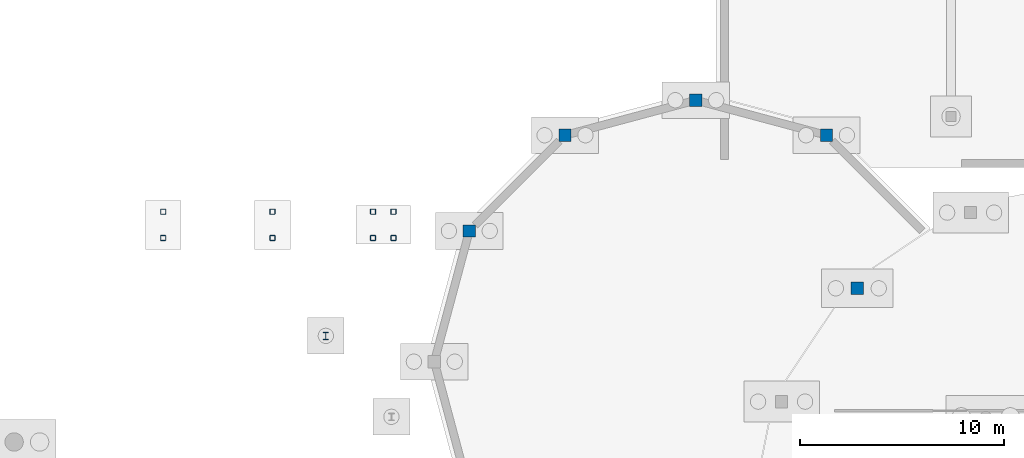
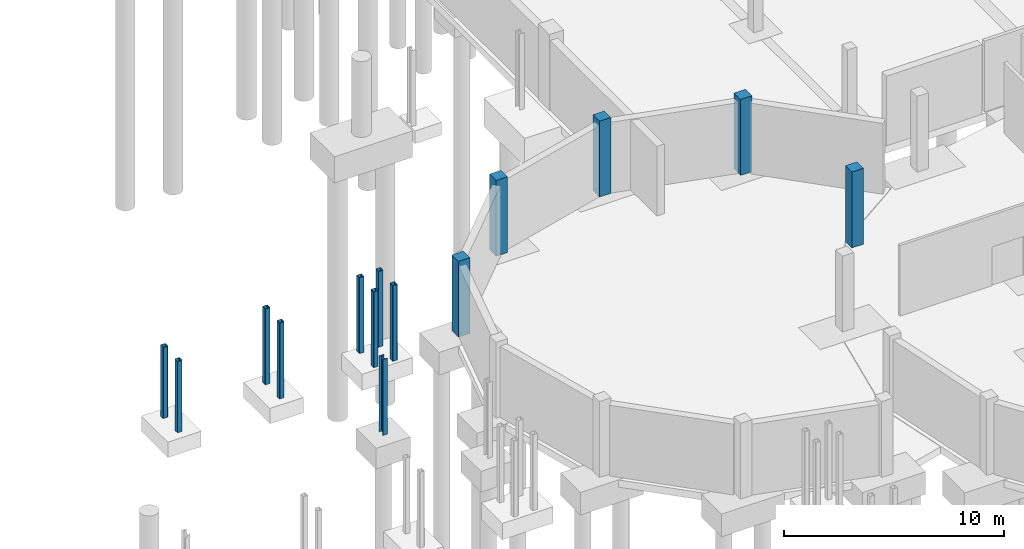
# One storey, part 14 of 43: 14 columns.
"""IFC4 building model written with IfcOpenShell, lengths in metres."""

from ifc_helpers import new_model, si_unit, direction, frame, origin, origin_2d, place, context, subcontext, project, spatial, rectangle, hollow_rectangle, i_section, extrude, material, material_profile, profile_set, type_object, element, save


model = new_model("IFC4")

# Units and contexts
model_context = context("Model", 3, precision=1e-05, world=origin(), true_north=direction((0.0, 1.0)))
body_context = subcontext(model_context, "Body", "Model", "MODEL_VIEW")
ifc_project = project(units=[si_unit("LENGTHUNIT", "METRE"), si_unit("AREAUNIT", "SQUARE_METRE"), si_unit("VOLUMEUNIT", "CUBIC_METRE"), si_unit("PLANEANGLEUNIT", "RADIAN"), si_unit("MASSUNIT", "GRAM", prefix="KILO")], contexts=[model_context])

# Site, building, storey
site_placement = place(None, origin())
site = spatial("IfcSite", under=ifc_project, at=site_placement, CompositionType="ELEMENT")
building_placement = place(site_placement, origin())
building = spatial("IfcBuilding", under=site, at=building_placement, Name="Vespera Passage Community Centre", CompositionType="ELEMENT")
storey_placement = place(building_placement, frame((0.0, 0.0, -4.199951171875)))
storey = spatial("IfcBuildingStorey", under=building, at=storey_placement, Name="B1", CompositionType="ELEMENT", Elevation=-4.199951171875)

# Columns
ifc_material_1 = material(Name="Steel ASTM A500 Grade C", Category="steel")
ifc_material_profile_1 = material_profile(ifc_material_1, hollow_rectangle(XDim=0.25390625, YDim=0.25390625, WallThickness=0.01171875, InnerFilletRadius=0.01171875, OuterFilletRadius=0.023681640625, at=origin_2d()), Name="HSS254X254X12.7")
ifc_profile_set_1 = profile_set([ifc_material_profile_1], Name="Steel ASTM A500 Grade C")
column_type_1 = type_object("IfcColumnType", Name="COL-HSS254E", PredefinedType="COLUMN", material=ifc_profile_set_1)
for number, where, z_axis, x_axis, name in (
    (1, (94.925048828125, 39.554931640625, 0.0), (0.0, 0.0, 1.0), (1.0, 0.0, 0.0), "ST-CRT-02 Base Column B1"),
    (2, (94.925048828125, 40.844970703125, 0.0), (0.0, 0.0, 1.0), (1.0, 0.0, 0.0), "ST-CRT-02 Base Column B2"),
):
    element("IfcColumn", number, at=place(storey_placement, frame(where, z_axis=z_axis, x_axis=x_axis)), inside=storey, type_object=column_type_1, Name=name, PredefinedType="COLUMN", context=body_context, shape_type="SweptSolid", body=[
        extrude(hollow_rectangle(XDim=0.25390625, YDim=0.25390625, WallThickness=0.01171875, InnerFilletRadius=0.01171875, OuterFilletRadius=0.023681640625, at=origin_2d()), origin(), (0.0, 0.0, 1.0), 3.93994140625),
    ])
for number, where, z_axis, x_axis, name in (
    (3, (100.27490234375, 39.554931640625, 0.0), (0.0, 0.0, 1.0), (1.0, 0.0, 0.0), "ST-CRT-02 Base Column M1"),
    (4, (100.27490234375, 40.844970703125, 0.0), (0.0, 0.0, 1.0), (1.0, 0.0, 0.0), "ST-CRT-02 Base Column M2"),
    (5, (105.199951171875, 39.554931640625, 0.0), (0.0, 0.0, 1.0), (1.0, 0.0, 0.0), "ST-CRT-02 Base Column T1"),
    (6, (105.199951171875, 40.844970703125, 0.0), (0.0, 0.0, 1.0), (1.0, 0.0, 0.0), "ST-CRT-02 Base Column T2"),
    (7, (106.199951171875, 39.554931640625, 0.0), (0.0, 0.0, 1.0), (1.0, 0.0, 0.0), "ST-CRT-02 Base Column TF1"),
    (8, (106.199951171875, 40.844970703125, 0.0), (0.0, 0.0, 1.0), (1.0, 0.0, 0.0), "ST-CRT-02 Base Column TF2"),
):
    element("IfcColumn", number, at=place(storey_placement, frame(where, z_axis=z_axis, x_axis=x_axis)), inside=storey, type_object=column_type_1, Name=name, PredefinedType="COLUMN", context=body_context, shape_type="SweptSolid", body=[
        extrude(hollow_rectangle(XDim=0.25390625, YDim=0.25390625, WallThickness=0.01171875, InnerFilletRadius=0.01171875, OuterFilletRadius=0.023681640625, at=origin_2d()), origin(), (0.0, 0.0, 1.0), 4.199951171875),
    ])
ifc_material_2 = material(Name="Concrete f'c 45 MPa", Category="concrete")
ifc_material_profile_2 = material_profile(ifc_material_2, rectangle(XDim=0.60009765625, YDim=0.60009765625, at=origin_2d()), Name="RC600X600")
ifc_profile_set_2 = profile_set([ifc_material_profile_2], Name="Concrete f'c 45 MPa")
column_type_2 = type_object("IfcColumnType", Name="COL-RC600E", PredefinedType="COLUMN", material=ifc_profile_set_2)
for number, where, z_axis, x_axis, name in (
    (9, (128.908447265625, 37.091552734375, 0.0), (0.0, 0.0, 1.0), (1.0, 0.0, 0.0), "B1 Column V3-P07"),
    (10, (127.39990234375, 44.585205078125, 0.0), (0.0, 0.0, 1.0), (1.0, 0.0, 0.0), "B1 Column V3A-P03"),
    (11, (121.0, 46.300048828125, 0.0), (0.0, 0.0, 1.0), (1.0, 0.0, 0.0), "B1 Column V3A-P04"),
    (12, (114.60009765625, 44.585205078125, 0.0), (0.0, 0.0, 1.0), (1.0, 0.0, 0.0), "B1 Column V3A-P05"),
    (13, (109.914794921875, 39.89990234375, 0.0), (0.0, 0.0, 1.0), (1.0, 0.0, 0.0), "B1 Column V3A-P06"),
):
    element("IfcColumn", number, at=place(storey_placement, frame(where, z_axis=z_axis, x_axis=x_axis)), inside=storey, type_object=column_type_2, Name=name, PredefinedType="COLUMN", context=body_context, shape_type="SweptSolid", body=[
        extrude(rectangle(XDim=0.60009765625, YDim=0.60009765625, at=origin_2d()), origin(), (0.0, 0.0, 1.0), 4.199951171875),
    ])
ifc_material_3 = material(Name="Steel ASTM A992 Grade 50", Category="steel")
ifc_material_profile_3 = material_profile(ifc_material_3, i_section(OverallWidth=0.2548828125, OverallDepth=0.356689453125, WebThickness=0.010498046875, FlangeThickness=0.018310546875, FilletRadius=0.01513671875, at=origin_2d()), Name="W14X68")
ifc_profile_set_3 = profile_set([ifc_material_profile_3], Name="Steel ASTM A992 Grade 50")
column_type_3 = type_object("IfcColumnType", Name="COL-W14X68I", PredefinedType="COLUMN", material=ifc_profile_set_3)
column_placement = place(storey_placement, frame((102.8896484375, 34.763916015625, 0.0), z_axis=(0.0, 0.0, 1.0), x_axis=(1.0, 0.0, 0.0)))
element("IfcColumn", 14, at=column_placement, inside=storey, type_object=column_type_3, Name="B1 Column TRANC-I206", PredefinedType="COLUMN", context=body_context, shape_type="SweptSolid", body=[
    extrude(i_section(OverallWidth=0.2548828125, OverallDepth=0.356689453125, WebThickness=0.010498046875, FlangeThickness=0.018310546875, FilletRadius=0.01513671875, at=origin_2d()), origin(), (0.0, 0.0, 1.0), 4.199951171875),
])

save(model, "model.ifc")
